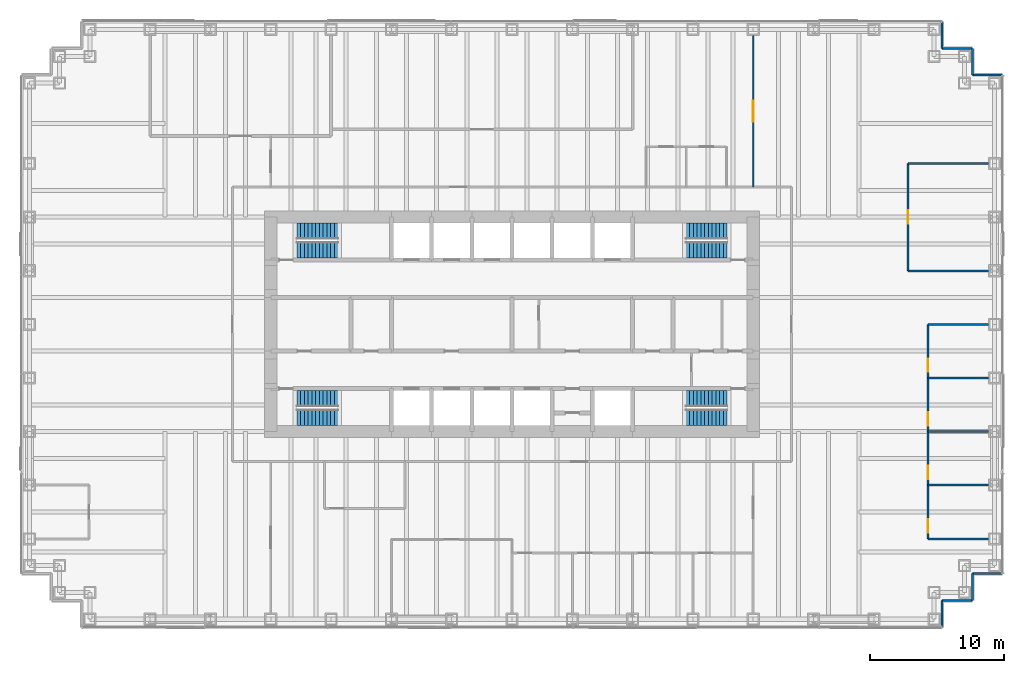
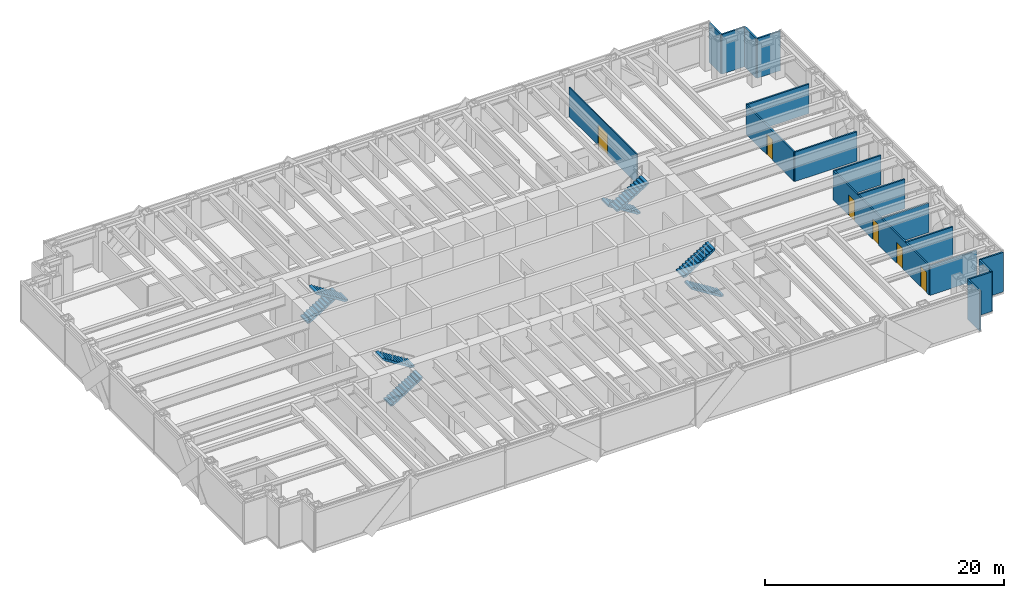
# One storey, part 16 of 17: 18 walls, 8 stair flights, 6 doors, 6 openings, 4 elements without a shape of their own.
"""IFC4 building model written with IfcOpenShell, lengths in metres."""

from ifc_helpers import new_model, si_unit, direction, frame, frame_2d, origin, place, context, subcontext, project, spatial, polyline, rectangle, outline, extrude, material, layer, layer_set, type_object, element, fill, aggregate, save


model = new_model("IFC4")

# Units and contexts
model_context = context("Model", 3, precision=1e-05, world=origin(), true_north=direction((0.0, 1.0)))
body_context = subcontext(model_context, "Body", "Model", "MODEL_VIEW")
ifc_project = project(units=[si_unit("LENGTHUNIT", "METRE"), si_unit("AREAUNIT", "SQUARE_METRE"), si_unit("VOLUMEUNIT", "CUBIC_METRE"), si_unit("PLANEANGLEUNIT", "RADIAN"), si_unit("MASSUNIT", "GRAM", prefix="KILO")], contexts=[model_context])

# Site, building, storey
site_placement = place(None, origin())
site = spatial("IfcSite", under=ifc_project, at=site_placement, CompositionType="ELEMENT")
building_placement = place(site_placement, origin())
building = spatial("IfcBuilding", under=site, at=building_placement, Name="Rheinbord Bourse Tower", CompositionType="ELEMENT")
storey_placement = place(building_placement, frame((0.0, 0.0, 129.89990234375)))
storey = spatial("IfcBuildingStorey", under=building, at=storey_placement, Name="L28", CompositionType="ELEMENT", Elevation=129.89990234375)

# Walls
ifc_material_1 = material(Name="Black metal rainscreen panel", Category="aluminium")
ifc_layer_1 = layer(ifc_material_1, 0.14990234375)
ifc_layer_set_1 = layer_set([ifc_layer_1], Name="CORNER PIER CLADDING 150")
wall_type_1 = type_object("IfcWallType", Name="CORNER PIER CLADDING 150", PredefinedType="ELEMENTEDWALL", material=ifc_layer_set_1)
wall_1_placement = place(storey_placement, frame((68.10009765625, 1.39990234375, 0.0), z_axis=(0.0, 0.0, 1.0), x_axis=(0.0, 1.0, 0.0)))
element("IfcWall", 1, at=wall_1_placement, inside=storey, type_object=wall_type_1, Name="Corner pier cladding L28 2", PredefinedType="ELEMENTEDWALL", context=body_context, shape_type="SweptSolid", body=[
    extrude(rectangle(XDim=2.0, YDim=0.14990234375, at=frame_2d((1.0, 0.0))), origin(), (0.0, 0.0, 1.0), 4.0400390625),
])
wall_2_placement = place(storey_placement, frame((68.10009765625, 3.39990234375, 0.0), z_axis=(0.0, 0.0, 1.0), x_axis=(1.0, 0.0, 0.0)))
element("IfcWall", 2, at=wall_2_placement, inside=storey, type_object=wall_type_1, Name="Corner pier cladding L28 3", PredefinedType="ELEMENTEDWALL", context=body_context, shape_type="SweptSolid", body=[
    extrude(rectangle(XDim=2.25, YDim=0.14990234375, at=frame_2d((1.125, 0.0))), origin(), (0.0, 0.0, 1.0), 4.0400390625),
])
wall_3_placement = place(storey_placement, frame((70.35009765625, 3.39990234375, 0.0), z_axis=(0.0, 0.0, 1.0), x_axis=(0.0, 1.0, 0.0)))
element("IfcWall", 3, at=wall_3_placement, inside=storey, type_object=wall_type_1, Name="Corner pier cladding L28 4", PredefinedType="ELEMENTEDWALL", context=body_context, shape_type="SweptSolid", body=[
    extrude(rectangle(XDim=2.0, YDim=0.14990234375, at=frame_2d((1.0, 0.0))), origin(), (0.0, 0.0, 1.0), 4.0400390625),
])
for number, where, z_axis, x_axis, name in (
    (4, (70.35009765625, 5.39990234375, 0.0), (0.0, 0.0, 1.0), (1.0, 0.0, 0.0), "Corner pier cladding L28 5"),
    (5, (72.60009765625, 42.60009765625, 0.0), (0.0, 0.0, 1.0), (-1.0, 0.0, 0.0), "Corner pier cladding L28 7"),
):
    element("IfcWall", number, at=place(storey_placement, frame(where, z_axis=z_axis, x_axis=x_axis)), inside=storey, type_object=wall_type_1, Name=name, PredefinedType="ELEMENTEDWALL", context=body_context, shape_type="SweptSolid", body=[
        extrude(rectangle(XDim=2.25, YDim=0.14990234375, at=frame_2d((1.125, 0.0))), origin(), (0.0, 0.0, 1.0), 4.0400390625),
    ])
wall_4_placement = place(storey_placement, frame((70.35009765625, 42.60009765625, 0.0), z_axis=(0.0, 0.0, 1.0), x_axis=(0.0, 1.0, 0.0)))
element("IfcWall", 6, at=wall_4_placement, inside=storey, type_object=wall_type_1, Name="Corner pier cladding L28 8", PredefinedType="ELEMENTEDWALL", context=body_context, shape_type="SweptSolid", body=[
    extrude(rectangle(XDim=2.0, YDim=0.14990234375, at=frame_2d((1.0, 0.0))), origin(), (0.0, 0.0, 1.0), 4.0400390625),
])
wall_5_placement = place(storey_placement, frame((70.35009765625, 44.60009765625, 0.0), z_axis=(0.0, 0.0, 1.0), x_axis=(-1.0, 0.0, 0.0)))
element("IfcWall", 7, at=wall_5_placement, inside=storey, type_object=wall_type_1, Name="Corner pier cladding L28 9", PredefinedType="ELEMENTEDWALL", context=body_context, shape_type="SweptSolid", body=[
    extrude(rectangle(XDim=2.25, YDim=0.14990234375, at=frame_2d((1.125, 0.0))), origin(), (0.0, 0.0, 1.0), 4.0400390625),
])
wall_6_placement = place(storey_placement, frame((68.10009765625, 44.60009765625, 0.0), z_axis=(0.0, 0.0, 1.0), x_axis=(0.0, 1.0, 0.0)))
element("IfcWall", 8, at=wall_6_placement, inside=storey, type_object=wall_type_1, Name="Corner pier cladding L28 10", PredefinedType="ELEMENTEDWALL", context=body_context, shape_type="SweptSolid", body=[
    extrude(rectangle(XDim=2.0, YDim=0.14990234375, at=frame_2d((1.0, 0.0))), origin(), (0.0, 0.0, 1.0), 4.0400390625),
])

# Wall, opening, door
ifc_material_2 = material(Name="Toughened laminated glass partition", Category="glass")
ifc_layer_2 = layer(ifc_material_2, 0.10009765625)
ifc_layer_set_2 = layer_set([ifc_layer_2], Name="GLAZED PARTITION 100")
wall_type_2 = type_object("IfcWallType", Name="GLAZED PARTITION 100", PredefinedType="PARTITIONING", material=ifc_layer_set_2)
wall_7_placement = place(storey_placement, frame((54.0, 34.25, 0.0), z_axis=(0.0, 0.0, 1.0), x_axis=(0.0, 1.0, 0.0)))
wall_7 = element("IfcWall", 9, at=wall_7_placement, inside=storey, type_object=wall_type_2, Name="Partition L28-40", PredefinedType="PARTITIONING", context=body_context, shape_type="SweptSolid", body=[
    extrude(rectangle(XDim=11.300048828125, YDim=0.10009765625, at=frame_2d((5.64990234375, 0.0))), origin(), (0.0, 0.0, 1.0), 3.0),
])
opening_1_placement = place(wall_7_placement, frame((4.85009765625, 0.0, 0.0)))
opening_1 = element("IfcOpeningElement", 10, at=opening_1_placement, cuts=wall_7, Name="Opening 28D20", PredefinedType="OPENING", context=body_context, shape_type="SweptSolid", body=[
    extrude(rectangle(XDim=1.60009765625, YDim=2.10009765625, at=frame_2d((0.800048828125, 1.050048828125))), frame((0.0, 0.06005859375, 0.0), z_axis=(0.0, -1.0, 0.0), x_axis=(1.0, 0.0, 0.0)), (0.0, 0.0, 1.0), 0.1201171875),
])
ifc_material_3 = material(Name="Timber door", Category="wood")
door_type_1 = type_object("IfcDoorType", Name="DOUBLE ROOM DOOR 1600", OperationType="DOUBLE_DOOR_DOUBLE_SWING", PredefinedType="DOOR", material=ifc_material_3)
door_1_placement = place(opening_1_placement, origin())
door_1 = element("IfcDoor", 11, at=door_1_placement, inside=storey, type_object=door_type_1, Name="Open area door L28", OperationType="SINGLE_SWING_LEFT", OverallHeight=2.10009765625, OverallWidth=1.60009765625, PredefinedType="DOOR", context=body_context, shape_type="SweptSolid", body=[
    extrude(rectangle(XDim=1.60009765625, YDim=2.10009765625, at=frame_2d((0.800048828125, 1.050048828125))), frame((0.0, 0.02490234375, 0.0), z_axis=(0.0, -1.0, 0.0), x_axis=(1.0, 0.0, 0.0)), (0.0, 0.0, 1.0), 0.050048828125),
])
fill(opening_1, door_1)

# Walls
ifc_material_4 = material(Name="Gypsum board partition", Category="gypsum board")
ifc_layer_3 = layer(ifc_material_4, 0.14990234375)
ifc_layer_set_3 = layer_set([ifc_layer_3], Name="PARTITION 150")
wall_type_3 = type_object("IfcWallType", Name="PARTITION 150", PredefinedType="PARTITIONING", material=ifc_layer_set_3)
for number, where, z_axis, x_axis, name in (
    (12, (67.050048828125, 8.0, 0.0), (0.0, 0.0, 1.0), (1.0, 0.0, 0.0), "Partition L28-04"),
    (13, (67.050048828125, 12.0, 0.0), (0.0, 0.0, 1.0), (1.0, 0.0, 0.0), "Partition L28-07"),
    (14, (67.050048828125, 16.0, 0.0), (0.0, 0.0, 1.0), (1.0, 0.0, 0.0), "Partition L28-11"),
    (15, (67.050048828125, 20.0, 0.0), (0.0, 0.0, 1.0), (1.0, 0.0, 0.0), "Partition L28-12"),
    (16, (67.050048828125, 24.0, 0.0), (0.0, 0.0, 1.0), (1.0, 0.0, 0.0), "Partition L28-13"),
):
    element("IfcWall", number, at=place(storey_placement, frame(where, z_axis=z_axis, x_axis=x_axis)), inside=storey, type_object=wall_type_3, Name=name, PredefinedType="PARTITIONING", context=body_context, shape_type="SweptSolid", body=[
        extrude(rectangle(XDim=4.5, YDim=0.14990234375, at=frame_2d((2.25, 0.0))), origin(), (0.0, 0.0, 1.0), 3.0),
    ])
for number, where, z_axis, x_axis, name in (
    (17, (65.550048828125, 28.0, 0.0), (0.0, 0.0, 1.0), (1.0, 0.0, 0.0), "Partition L28-14"),
    (18, (65.550048828125, 36.0, 0.0), (0.0, 0.0, 1.0), (1.0, 0.0, 0.0), "Partition L28-16"),
):
    element("IfcWall", number, at=place(storey_placement, frame(where, z_axis=z_axis, x_axis=x_axis)), inside=storey, type_object=wall_type_3, Name=name, PredefinedType="PARTITIONING", context=body_context, shape_type="SweptSolid", body=[
        extrude(rectangle(XDim=6.0, YDim=0.14990234375, at=frame_2d((3.0, 0.0))), origin(), (0.0, 0.0, 1.0), 3.0),
    ])

# Wall, opening, door
wall_8_placement = place(storey_placement, frame((65.550048828125, 28.0, 0.0), z_axis=(0.0, 0.0, 1.0), x_axis=(0.0, 1.0, 0.0)))
wall_8 = element("IfcWall", 19, at=wall_8_placement, inside=storey, type_object=wall_type_3, Name="Partition L28-42", PredefinedType="PARTITIONING", context=body_context, shape_type="SweptSolid", body=[
    extrude(rectangle(XDim=8.0, YDim=0.14990234375, at=frame_2d((4.0, 0.0))), origin(), (0.0, 0.0, 1.0), 3.0),
])
opening_2_placement = place(wall_8_placement, frame((3.5, 0.0, 0.0)))
opening_2 = element("IfcOpeningElement", 20, at=opening_2_placement, cuts=wall_8, Name="Opening 28D12", PredefinedType="OPENING", context=body_context, shape_type="SweptSolid", body=[
    extrude(rectangle(XDim=1.0, YDim=2.10009765625, at=frame_2d((0.5, 1.050048828125))), frame((0.0, 0.0849609375, 0.0), z_axis=(0.0, -1.0, 0.0), x_axis=(1.0, 0.0, 0.0)), (0.0, 0.0, 1.0), 0.169921875),
])
ifc_material_5 = material(Name="Timber door", Category="wood")
door_type_2 = type_object("IfcDoorType", Name="ROOM DOOR 1000", OperationType="SINGLE_SWING_LEFT", PredefinedType="DOOR", material=ifc_material_5)
door_2_placement = place(opening_2_placement, origin())
door_2 = element("IfcDoor", 21, at=door_2_placement, inside=storey, type_object=door_type_2, Name="Pantry door L28", OperationType="SINGLE_SWING_LEFT", OverallHeight=2.10009765625, OverallWidth=1.0, PredefinedType="DOOR", context=body_context, shape_type="SweptSolid", body=[
    extrude(rectangle(XDim=1.0, YDim=2.10009765625, at=frame_2d((0.5, 1.050048828125))), frame((0.0, 0.02490234375, 0.0), z_axis=(0.0, -1.0, 0.0), x_axis=(1.0, 0.0, 0.0)), (0.0, 0.0, 1.0), 0.050048828125),
])
fill(opening_2, door_2)

# Wall, openings, doors
wall_9_placement = place(storey_placement, frame((67.050048828125, 8.0, 0.0), z_axis=(0.0, 0.0, 1.0), x_axis=(0.0, 1.0, 0.0)))
wall_9 = element("IfcWall", 22, at=wall_9_placement, inside=storey, type_object=wall_type_3, Name="Partition L28-43", PredefinedType="PARTITIONING", context=body_context, shape_type="SweptSolid", body=[
    extrude(rectangle(XDim=16.0, YDim=0.14990234375, at=frame_2d((8.0, 0.0))), origin(), (0.0, 0.0, 1.0), 3.0),
])
opening_3_placement = place(wall_9_placement, frame((0.449951171875, 0.0, 0.0)))
opening_3 = element("IfcOpeningElement", 23, at=opening_3_placement, cuts=wall_9, Name="Opening 28D07", PredefinedType="OPENING", context=body_context, shape_type="SweptSolid", body=[
    extrude(rectangle(XDim=1.0, YDim=2.10009765625, at=frame_2d((0.5, 1.050048828125))), frame((0.0, 0.0849609375, 0.0), z_axis=(0.0, -1.0, 0.0), x_axis=(1.0, 0.0, 0.0)), (0.0, 0.0, 1.0), 0.169921875),
])
opening_4_placement = place(wall_9_placement, frame((4.449951171875, 0.0, 0.0)))
opening_4 = element("IfcOpeningElement", 24, at=opening_4_placement, cuts=wall_9, Name="Opening 28D09", PredefinedType="OPENING", context=body_context, shape_type="SweptSolid", body=[
    extrude(rectangle(XDim=1.0, YDim=2.10009765625, at=frame_2d((0.5, 1.050048828125))), frame((0.0, 0.0849609375, 0.0), z_axis=(0.0, -1.0, 0.0), x_axis=(1.0, 0.0, 0.0)), (0.0, 0.0, 1.0), 0.169921875),
])
opening_5_placement = place(wall_9_placement, frame((8.449951171875, 0.0, 0.0)))
opening_5 = element("IfcOpeningElement", 25, at=opening_5_placement, cuts=wall_9, Name="Opening 28D10", PredefinedType="OPENING", context=body_context, shape_type="SweptSolid", body=[
    extrude(rectangle(XDim=1.0, YDim=2.10009765625, at=frame_2d((0.5, 1.050048828125))), frame((0.0, 0.0849609375, 0.0), z_axis=(0.0, -1.0, 0.0), x_axis=(1.0, 0.0, 0.0)), (0.0, 0.0, 1.0), 0.169921875),
])
opening_6_placement = place(wall_9_placement, frame((12.449951171875, 0.0, 0.0)))
opening_6 = element("IfcOpeningElement", 26, at=opening_6_placement, cuts=wall_9, Name="Opening 28D11", PredefinedType="OPENING", context=body_context, shape_type="SweptSolid", body=[
    extrude(rectangle(XDim=1.0, YDim=2.10009765625, at=frame_2d((0.5, 1.050048828125))), frame((0.0, 0.0849609375, 0.0), z_axis=(0.0, -1.0, 0.0), x_axis=(1.0, 0.0, 0.0)), (0.0, 0.0, 1.0), 0.169921875),
])
door_3_placement = place(opening_3_placement, origin())
door_3 = element("IfcDoor", 27, at=door_3_placement, inside=storey, type_object=door_type_2, Name="Office door L28", OperationType="SINGLE_SWING_LEFT", OverallHeight=2.10009765625, OverallWidth=1.0, PredefinedType="DOOR", context=body_context, shape_type="SweptSolid", body=[
    extrude(rectangle(XDim=1.0, YDim=2.10009765625, at=frame_2d((0.5, 1.050048828125))), frame((0.0, 0.02490234375, 0.0), z_axis=(0.0, -1.0, 0.0), x_axis=(1.0, 0.0, 0.0)), (0.0, 0.0, 1.0), 0.050048828125),
])
fill(opening_3, door_3)
door_4_placement = place(opening_4_placement, origin())
door_4 = element("IfcDoor", 28, at=door_4_placement, inside=storey, type_object=door_type_2, Name="Office door L28", OperationType="SINGLE_SWING_LEFT", OverallHeight=2.10009765625, OverallWidth=1.0, PredefinedType="DOOR", context=body_context, shape_type="SweptSolid", body=[
    extrude(rectangle(XDim=1.0, YDim=2.10009765625, at=frame_2d((0.5, 1.050048828125))), frame((0.0, 0.02490234375, 0.0), z_axis=(0.0, -1.0, 0.0), x_axis=(1.0, 0.0, 0.0)), (0.0, 0.0, 1.0), 0.050048828125),
])
fill(opening_4, door_4)
door_5_placement = place(opening_5_placement, origin())
door_5 = element("IfcDoor", 29, at=door_5_placement, inside=storey, type_object=door_type_2, Name="Office door L28", OperationType="SINGLE_SWING_RIGHT", OverallHeight=2.10009765625, OverallWidth=1.0, PredefinedType="DOOR", context=body_context, shape_type="SweptSolid", body=[
    extrude(rectangle(XDim=1.0, YDim=2.10009765625, at=frame_2d((0.5, 1.050048828125))), frame((0.0, 0.02490234375, 0.0), z_axis=(0.0, -1.0, 0.0), x_axis=(1.0, 0.0, 0.0)), (0.0, 0.0, 1.0), 0.050048828125),
])
fill(opening_5, door_5)
door_6_placement = place(opening_6_placement, origin())
door_6 = element("IfcDoor", 30, at=door_6_placement, inside=storey, type_object=door_type_2, Name="Office door L28", OperationType="SINGLE_SWING_RIGHT", OverallHeight=2.10009765625, OverallWidth=1.0, PredefinedType="DOOR", context=body_context, shape_type="SweptSolid", body=[
    extrude(rectangle(XDim=1.0, YDim=2.10009765625, at=frame_2d((0.5, 1.050048828125))), frame((0.0, 0.02490234375, 0.0), z_axis=(0.0, -1.0, 0.0), x_axis=(1.0, 0.0, 0.0)), (0.0, 0.0, 1.0), 0.050048828125),
])
fill(opening_6, door_6)

# Stair, stair flights
ifc_material_6 = material(Name="Concrete C30/37", Category="concrete")
stair_type = type_object("IfcStairType", Name="CORE STAIR HALF TURN 4200", PredefinedType="HALF_TURN_STAIR", material=ifc_material_6)
stair_1_placement = place(storey_placement, origin())
stair_1 = element("IfcStair", 31, at=stair_1_placement, inside=storey, type_object=stair_type, Name="Stair ST1 L28, type CS6", PredefinedType="HALF_TURN_STAIR")
ifc_material_7 = material(Name="Concrete C30/37", Category="concrete")
stair_flight_type = type_object("IfcStairFlightType", Name="CORE STAIR FLIGHT 1200, 12 RISERS", PredefinedType="STRAIGHT", material=ifc_material_7)
stair_flight_1_placement = place(storey_placement, frame((19.949951171875, 17.050048828125, 0.0), z_axis=(0.0, 0.0, 1.0), x_axis=(1.0, 0.0, 0.0)))
stair_flight_1 = element("IfcStairFlight", 32, at=stair_flight_1_placement, type_object=stair_flight_type, Name="STAIR L28 ST1 F1", NumberOfRisers=12, NumberOfTreads=11, PredefinedType="STRAIGHT", RiserHeight=0.175, TreadLength=0.28, context=body_context, shape_type="SweptSolid", body=[
    extrude(outline(polyline([(0.0, 0.0), (0.0, 0.175048828125), (0.280029296875, 0.175048828125), (0.280029296875, 0.35009765625), (0.56005859375, 0.35009765625), (0.56005859375, 0.52490234375), (0.840087890625, 0.52490234375), (0.840087890625, 0.699951171875), (1.1201171875, 0.699951171875), (1.1201171875, 0.875), (1.39990234375, 0.875), (1.39990234375, 1.050048828125), (1.679931640625, 1.050048828125), (1.679931640625, 1.22509765625), (1.9599609375, 1.22509765625), (1.9599609375, 1.39990234375), (2.239990234375, 1.39990234375), (2.239990234375, 1.574951171875), (2.52001953125, 1.574951171875), (2.52001953125, 1.75), (2.800048828125, 1.75), (2.800048828125, 1.925048828125), (3.080078125, 1.925048828125), (3.080078125, 2.10009765625), (3.080078125, 1.748291015625), (0.28271484375, 0.0), (0.0, 0.0)])), frame((0.0, 0.60009765625, 0.0), z_axis=(0.0, -1.0, 0.0), x_axis=(1.0, 0.0, 0.0)), (0.0, 0.0, 1.0), 1.199951171875),
])
stair_flight_2_placement = place(storey_placement, frame((23.030029296875, 18.449951171875, 2.10009765625), z_axis=(0.0, 0.0, 1.0), x_axis=(-1.0, 0.0, 0.0)))
stair_flight_2 = element("IfcStairFlight", 33, at=stair_flight_2_placement, type_object=stair_flight_type, Name="STAIR L28 ST1 F2", NumberOfRisers=12, NumberOfTreads=11, PredefinedType="STRAIGHT", RiserHeight=0.175, TreadLength=0.28, context=body_context, shape_type="SweptSolid", body=[
    extrude(outline(polyline([(0.0, 0.0), (0.0, 0.175048828125), (0.280029296875, 0.175048828125), (0.280029296875, 0.35009765625), (0.56005859375, 0.35009765625), (0.56005859375, 0.52490234375), (0.840087890625, 0.52490234375), (0.840087890625, 0.699951171875), (1.1201171875, 0.699951171875), (1.1201171875, 0.875), (1.39990234375, 0.875), (1.39990234375, 1.050048828125), (1.679931640625, 1.050048828125), (1.679931640625, 1.22509765625), (1.9599609375, 1.22509765625), (1.9599609375, 1.39990234375), (2.239990234375, 1.39990234375), (2.239990234375, 1.574951171875), (2.52001953125, 1.574951171875), (2.52001953125, 1.75), (2.800048828125, 1.75), (2.800048828125, 1.925048828125), (3.080078125, 1.925048828125), (3.080078125, 2.10009765625), (3.080078125, 1.748291015625), (0.28271484375, 0.0), (0.0, 0.0)])), frame((0.0, 0.60009765625, 0.0), z_axis=(0.0, -1.0, 0.0), x_axis=(1.0, 0.0, 0.0)), (0.0, 0.0, 1.0), 1.199951171875),
])
aggregate(stair_1, [stair_flight_1, stair_flight_2])

stair_2_placement = place(storey_placement, origin())
stair_2 = element("IfcStair", 34, at=stair_2_placement, inside=storey, type_object=stair_type, Name="Stair ST2 L28, type CS6", PredefinedType="HALF_TURN_STAIR")
stair_flight_3_placement = place(storey_placement, frame((19.949951171875, 30.949951171875, 0.0), z_axis=(0.0, 0.0, 1.0), x_axis=(1.0, 0.0, 0.0)))
stair_flight_3 = element("IfcStairFlight", 35, at=stair_flight_3_placement, type_object=stair_flight_type, Name="STAIR L28 ST2 F1", NumberOfRisers=12, NumberOfTreads=11, PredefinedType="STRAIGHT", RiserHeight=0.175, TreadLength=0.28, context=body_context, shape_type="SweptSolid", body=[
    extrude(outline(polyline([(0.0, 0.0), (0.0, 0.175048828125), (0.280029296875, 0.175048828125), (0.280029296875, 0.35009765625), (0.56005859375, 0.35009765625), (0.56005859375, 0.52490234375), (0.840087890625, 0.52490234375), (0.840087890625, 0.699951171875), (1.1201171875, 0.699951171875), (1.1201171875, 0.875), (1.39990234375, 0.875), (1.39990234375, 1.050048828125), (1.679931640625, 1.050048828125), (1.679931640625, 1.22509765625), (1.9599609375, 1.22509765625), (1.9599609375, 1.39990234375), (2.239990234375, 1.39990234375), (2.239990234375, 1.574951171875), (2.52001953125, 1.574951171875), (2.52001953125, 1.75), (2.800048828125, 1.75), (2.800048828125, 1.925048828125), (3.080078125, 1.925048828125), (3.080078125, 2.10009765625), (3.080078125, 1.748291015625), (0.28271484375, 0.0), (0.0, 0.0)])), frame((0.0, 0.60009765625, 0.0), z_axis=(0.0, -1.0, 0.0), x_axis=(1.0, 0.0, 0.0)), (0.0, 0.0, 1.0), 1.199951171875),
])
stair_flight_4_placement = place(storey_placement, frame((23.030029296875, 29.550048828125, 2.10009765625), z_axis=(0.0, 0.0, 1.0), x_axis=(-1.0, 0.0, 0.0)))
stair_flight_4 = element("IfcStairFlight", 36, at=stair_flight_4_placement, type_object=stair_flight_type, Name="STAIR L28 ST2 F2", NumberOfRisers=12, NumberOfTreads=11, PredefinedType="STRAIGHT", RiserHeight=0.175, TreadLength=0.28, context=body_context, shape_type="SweptSolid", body=[
    extrude(outline(polyline([(0.0, 0.0), (0.0, 0.175048828125), (0.280029296875, 0.175048828125), (0.280029296875, 0.35009765625), (0.56005859375, 0.35009765625), (0.56005859375, 0.52490234375), (0.840087890625, 0.52490234375), (0.840087890625, 0.699951171875), (1.1201171875, 0.699951171875), (1.1201171875, 0.875), (1.39990234375, 0.875), (1.39990234375, 1.050048828125), (1.679931640625, 1.050048828125), (1.679931640625, 1.22509765625), (1.9599609375, 1.22509765625), (1.9599609375, 1.39990234375), (2.239990234375, 1.39990234375), (2.239990234375, 1.574951171875), (2.52001953125, 1.574951171875), (2.52001953125, 1.75), (2.800048828125, 1.75), (2.800048828125, 1.925048828125), (3.080078125, 1.925048828125), (3.080078125, 2.10009765625), (3.080078125, 1.748291015625), (0.28271484375, 0.0), (0.0, 0.0)])), frame((0.0, 0.60009765625, 0.0), z_axis=(0.0, -1.0, 0.0), x_axis=(1.0, 0.0, 0.0)), (0.0, 0.0, 1.0), 1.199951171875),
])
aggregate(stair_2, [stair_flight_3, stair_flight_4])

stair_3_placement = place(storey_placement, origin())
stair_3 = element("IfcStair", 37, at=stair_3_placement, inside=storey, type_object=stair_type, Name="Stair ST3 L28, type CS6", PredefinedType="HALF_TURN_STAIR")
stair_flight_5_placement = place(storey_placement, frame((52.050048828125, 17.050048828125, 0.0), z_axis=(0.0, 0.0, 1.0), x_axis=(-1.0, 0.0, 0.0)))
stair_flight_5 = element("IfcStairFlight", 38, at=stair_flight_5_placement, type_object=stair_flight_type, Name="STAIR L28 ST3 F1", NumberOfRisers=12, NumberOfTreads=11, PredefinedType="STRAIGHT", RiserHeight=0.175, TreadLength=0.28, context=body_context, shape_type="SweptSolid", body=[
    extrude(outline(polyline([(0.0, 0.0), (0.0, 0.175048828125), (0.280029296875, 0.175048828125), (0.280029296875, 0.35009765625), (0.56005859375, 0.35009765625), (0.56005859375, 0.52490234375), (0.840087890625, 0.52490234375), (0.840087890625, 0.699951171875), (1.1201171875, 0.699951171875), (1.1201171875, 0.875), (1.39990234375, 0.875), (1.39990234375, 1.050048828125), (1.679931640625, 1.050048828125), (1.679931640625, 1.22509765625), (1.9599609375, 1.22509765625), (1.9599609375, 1.39990234375), (2.239990234375, 1.39990234375), (2.239990234375, 1.574951171875), (2.52001953125, 1.574951171875), (2.52001953125, 1.75), (2.800048828125, 1.75), (2.800048828125, 1.925048828125), (3.080078125, 1.925048828125), (3.080078125, 2.10009765625), (3.080078125, 1.748291015625), (0.28271484375, 0.0), (0.0, 0.0)])), frame((0.0, 0.60009765625, 0.0), z_axis=(0.0, -1.0, 0.0), x_axis=(1.0, 0.0, 0.0)), (0.0, 0.0, 1.0), 1.199951171875),
])
stair_flight_6_placement = place(storey_placement, frame((48.969970703125, 18.449951171875, 2.10009765625), z_axis=(0.0, 0.0, 1.0), x_axis=(1.0, 0.0, 0.0)))
stair_flight_6 = element("IfcStairFlight", 39, at=stair_flight_6_placement, type_object=stair_flight_type, Name="STAIR L28 ST3 F2", NumberOfRisers=12, NumberOfTreads=11, PredefinedType="STRAIGHT", RiserHeight=0.175, TreadLength=0.28, context=body_context, shape_type="SweptSolid", body=[
    extrude(outline(polyline([(0.0, 0.0), (0.0, 0.175048828125), (0.280029296875, 0.175048828125), (0.280029296875, 0.35009765625), (0.56005859375, 0.35009765625), (0.56005859375, 0.52490234375), (0.840087890625, 0.52490234375), (0.840087890625, 0.699951171875), (1.1201171875, 0.699951171875), (1.1201171875, 0.875), (1.39990234375, 0.875), (1.39990234375, 1.050048828125), (1.679931640625, 1.050048828125), (1.679931640625, 1.22509765625), (1.9599609375, 1.22509765625), (1.9599609375, 1.39990234375), (2.239990234375, 1.39990234375), (2.239990234375, 1.574951171875), (2.52001953125, 1.574951171875), (2.52001953125, 1.75), (2.800048828125, 1.75), (2.800048828125, 1.925048828125), (3.080078125, 1.925048828125), (3.080078125, 2.10009765625), (3.080078125, 1.748291015625), (0.28271484375, 0.0), (0.0, 0.0)])), frame((0.0, 0.60009765625, 0.0), z_axis=(0.0, -1.0, 0.0), x_axis=(1.0, 0.0, 0.0)), (0.0, 0.0, 1.0), 1.199951171875),
])
aggregate(stair_3, [stair_flight_5, stair_flight_6])

stair_4_placement = place(storey_placement, origin())
stair_4 = element("IfcStair", 40, at=stair_4_placement, inside=storey, type_object=stair_type, Name="Stair ST4 L28, type CS6", PredefinedType="HALF_TURN_STAIR")
stair_flight_7_placement = place(storey_placement, frame((52.050048828125, 30.949951171875, 0.0), z_axis=(0.0, 0.0, 1.0), x_axis=(-1.0, 0.0, 0.0)))
stair_flight_7 = element("IfcStairFlight", 41, at=stair_flight_7_placement, type_object=stair_flight_type, Name="STAIR L28 ST4 F1", NumberOfRisers=12, NumberOfTreads=11, PredefinedType="STRAIGHT", RiserHeight=0.175, TreadLength=0.28, context=body_context, shape_type="SweptSolid", body=[
    extrude(outline(polyline([(0.0, 0.0), (0.0, 0.175048828125), (0.280029296875, 0.175048828125), (0.280029296875, 0.35009765625), (0.56005859375, 0.35009765625), (0.56005859375, 0.52490234375), (0.840087890625, 0.52490234375), (0.840087890625, 0.699951171875), (1.1201171875, 0.699951171875), (1.1201171875, 0.875), (1.39990234375, 0.875), (1.39990234375, 1.050048828125), (1.679931640625, 1.050048828125), (1.679931640625, 1.22509765625), (1.9599609375, 1.22509765625), (1.9599609375, 1.39990234375), (2.239990234375, 1.39990234375), (2.239990234375, 1.574951171875), (2.52001953125, 1.574951171875), (2.52001953125, 1.75), (2.800048828125, 1.75), (2.800048828125, 1.925048828125), (3.080078125, 1.925048828125), (3.080078125, 2.10009765625), (3.080078125, 1.748291015625), (0.28271484375, 0.0), (0.0, 0.0)])), frame((0.0, 0.60009765625, 0.0), z_axis=(0.0, -1.0, 0.0), x_axis=(1.0, 0.0, 0.0)), (0.0, 0.0, 1.0), 1.199951171875),
])
stair_flight_8_placement = place(storey_placement, frame((48.969970703125, 29.550048828125, 2.10009765625), z_axis=(0.0, 0.0, 1.0), x_axis=(1.0, 0.0, 0.0)))
stair_flight_8 = element("IfcStairFlight", 42, at=stair_flight_8_placement, type_object=stair_flight_type, Name="STAIR L28 ST4 F2", NumberOfRisers=12, NumberOfTreads=11, PredefinedType="STRAIGHT", RiserHeight=0.175, TreadLength=0.28, context=body_context, shape_type="SweptSolid", body=[
    extrude(outline(polyline([(0.0, 0.0), (0.0, 0.175048828125), (0.280029296875, 0.175048828125), (0.280029296875, 0.35009765625), (0.56005859375, 0.35009765625), (0.56005859375, 0.52490234375), (0.840087890625, 0.52490234375), (0.840087890625, 0.699951171875), (1.1201171875, 0.699951171875), (1.1201171875, 0.875), (1.39990234375, 0.875), (1.39990234375, 1.050048828125), (1.679931640625, 1.050048828125), (1.679931640625, 1.22509765625), (1.9599609375, 1.22509765625), (1.9599609375, 1.39990234375), (2.239990234375, 1.39990234375), (2.239990234375, 1.574951171875), (2.52001953125, 1.574951171875), (2.52001953125, 1.75), (2.800048828125, 1.75), (2.800048828125, 1.925048828125), (3.080078125, 1.925048828125), (3.080078125, 2.10009765625), (3.080078125, 1.748291015625), (0.28271484375, 0.0), (0.0, 0.0)])), frame((0.0, 0.60009765625, 0.0), z_axis=(0.0, -1.0, 0.0), x_axis=(1.0, 0.0, 0.0)), (0.0, 0.0, 1.0), 1.199951171875),
])
aggregate(stair_4, [stair_flight_7, stair_flight_8])

save(model, "model.ifc")
